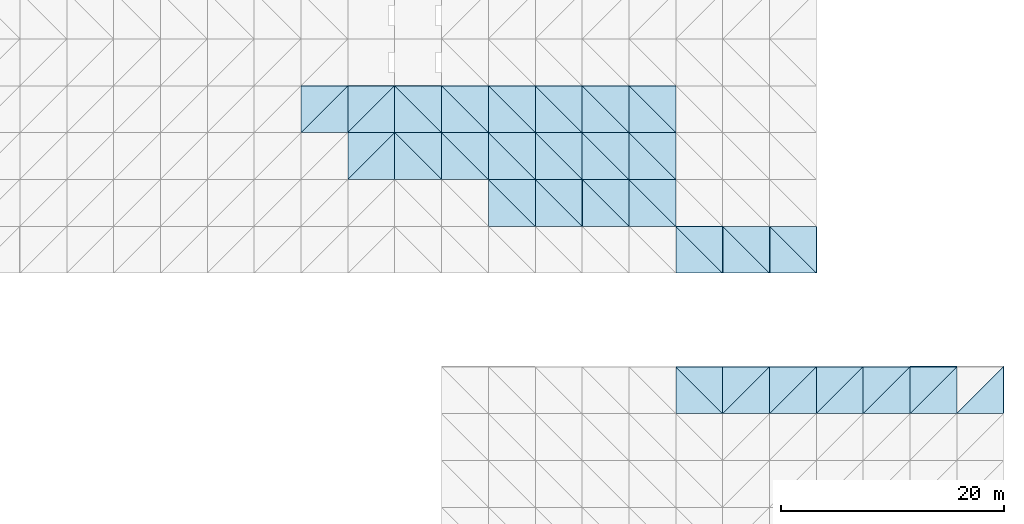
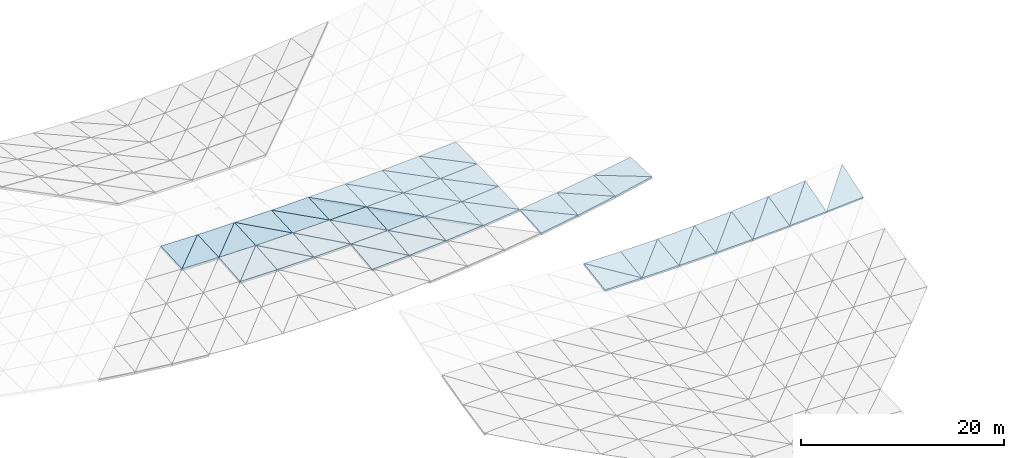
# One storey, part 26 of 64: 57 slabs.
"""IFC4 building model written with IfcOpenShell, lengths in metres."""

from ifc_helpers import new_model, si_unit, direction, frame, origin, place, context, subcontext, project, spatial, polyline, outline, extrude, material, layer, layer_set, type_object, element, save


model = new_model("IFC4")

# Units and contexts
model_context = context("Model", 3, precision=1e-05, world=origin(), true_north=direction((0.0, 1.0)))
body_context = subcontext(model_context, "Body", "Model", "MODEL_VIEW")
ifc_project = project(units=[si_unit("LENGTHUNIT", "METRE"), si_unit("AREAUNIT", "SQUARE_METRE"), si_unit("VOLUMEUNIT", "CUBIC_METRE"), si_unit("PLANEANGLEUNIT", "RADIAN"), si_unit("MASSUNIT", "GRAM", prefix="KILO")], contexts=[model_context])

# Site, building, storey
site_placement = place(None, origin())
site = spatial("IfcSite", under=ifc_project, at=site_placement, CompositionType="ELEMENT")
building_placement = place(site_placement, origin())
building = spatial("IfcBuilding", under=site, at=building_placement, Name="Cumbredor Promenade Congress Hotel", CompositionType="ELEMENT")
storey_placement = place(building_placement, frame((0.0, 0.0, 18.47998046875)))
storey = spatial("IfcBuildingStorey", under=building, at=storey_placement, Name="L05", CompositionType="ELEMENT", Elevation=18.47998046875)

# Slabs
ifc_material = material(Name="Concrete C40/50", Category="concrete")
ifc_layer = layer(ifc_material, 0.25, Name="Concrete C40/50", Category="concrete")
ifc_layer_set = layer_set([ifc_layer], Name="Concrete C40/50")
slab_type = type_object("IfcSlabType", Name="Catenary Space Frame Roof Deck 250mm", PredefinedType="ROOF", material=ifc_layer_set)
slab_1_placement = place(storey_placement, frame((159.60009765625, 67.199951171875, 2.425048828125), z_axis=(0.005918458152, -0.151121795525, 0.98849743286), x_axis=(0.999982076435, 0.0, -0.005987220477)))
element("IfcSlab", 1, at=slab_1_placement, inside=storey, type_object=slab_type, Name="Grand Ballroom Pavilion Sweeping Roof Deck Facet 6.17.1", PredefinedType="ROOF", context=body_context, shape_type="SweptSolid", body=[
    extrude(outline(polyline([(0.0, 0.0), (4.200026451322731, 0.0), (-0.0038443334608334553, 4.248747395960524), (0.0, 0.0)])), origin(), (0.0, 0.0, -1.0), 0.25),
])
slab_2_placement = place(storey_placement, frame((163.800048828125, 67.199951171875, 2.39990234375), z_axis=(0.01109796617, -0.146056135088, 0.989214051937), x_axis=(0.0, 0.989274975767, 0.14606513041)))
element("IfcSlab", 2, at=slab_2_placement, inside=storey, type_object=slab_type, Name="Grand Ballroom Pavilion Sweeping Roof Deck Facet 6.17.2", PredefinedType="ROOF", context=body_context, shape_type="SweptSolid", body=[
    extrude(outline(polyline([(0.0, 0.0), (4.245484091639857, 0.0), (4.252366555060066, 4.200209838953847), (0.0, 0.0)])), origin(), (0.0, 0.0, -1.0), 0.25),
])
slab_3_placement = place(storey_placement, frame((163.800048828125, 67.199951171875, 2.39990234375), z_axis=(-0.005918458152, -0.151121795525, 0.98849743286), x_axis=(0.999982076435, 0.0, 0.005987220477)))
element("IfcSlab", 3, at=slab_3_placement, inside=storey, type_object=slab_type, Name="Grand Ballroom Pavilion Sweeping Roof Deck Facet 7.17.1", PredefinedType="ROOF", context=body_context, shape_type="SweptSolid", body=[
    extrude(outline(polyline([(0.0, 0.0), (4.200026451322731, 0.0), (4.203870784783564, 4.248747395960524), (0.0, 0.0)])), origin(), (0.0, 0.0, -1.0), 0.25),
])
slab_4_placement = place(storey_placement, frame((163.800048828125, 67.199951171875, 2.39990234375), z_axis=(-0.01109796617, -0.146056135088, 0.989214051937), x_axis=(0.70268691564, 0.70268691564, 0.111634211501)))
element("IfcSlab", 4, at=slab_4_placement, inside=storey, type_object=slab_type, Name="Grand Ballroom Pavilion Sweeping Roof Deck Facet 7.17.2", PredefinedType="ROOF", context=body_context, shape_type="SweptSolid", body=[
    extrude(outline(polyline([(0.0, 0.0), (5.976987870979672, 2.636779683484747e-16), (3.0204770280669506, 2.983429854259513), (0.0, 0.0)])), origin(), (0.0, 0.0, -1.0), 0.25),
])
slab_5_placement = place(storey_placement, frame((168.0, 67.199951171875, 2.425048828125), z_axis=(-0.017651502768, -0.166371144595, 0.985905201678), x_axis=(0.999839764528, 0.0, 0.017900985146)))
element("IfcSlab", 5, at=slab_5_placement, inside=storey, type_object=slab_type, Name="Grand Ballroom Pavilion Sweeping Roof Deck Facet 8.17.1", PredefinedType="ROOF", context=body_context, shape_type="SweptSolid", body=[
    extrude(outline(polyline([(0.0, 0.0), (4.200624260887441, 0.0), (4.213311409295685, 4.259312339124872), (0.0, 0.0)])), origin(), (0.0, 0.0, -1.0), 0.25),
])
slab_6_placement = place(storey_placement, frame((168.0, 67.199951171875, 2.425048828125), z_axis=(-0.033366695852, -0.151040292754, 0.987964317965), x_axis=(0.701027278305, 0.701027278305, 0.130849188551)))
element("IfcSlab", 6, at=slab_6_placement, inside=storey, type_object=slab_type, Name="Grand Ballroom Pavilion Sweeping Roof Deck Facet 8.17.2", PredefinedType="ROOF", context=body_context, shape_type="SweptSolid", body=[
    extrude(outline(polyline([(0.0, 0.0), (5.99113800825207, 5.134781488891349e-16), (3.028297274065045, 2.980148458293866), (0.0, 0.0)])), origin(), (0.0, 0.0, -1.0), 0.25),
])
slab_7_placement = place(storey_placement, frame((172.199951171875, 67.199951171875, 2.500244140625), z_axis=(-0.029313092974, -0.191390544791, 0.981076144825), x_axis=(0.99955393597, 0.0, 0.029865181834)))
element("IfcSlab", 7, at=slab_7_placement, inside=storey, type_object=slab_type, Name="Grand Ballroom Pavilion Sweeping Roof Deck Facet 9.17.1", PredefinedType="ROOF", context=body_context, shape_type="SweptSolid", body=[
    extrude(outline(polyline([(0.0, 0.0), (4.201825455068936, 0.0), (4.226295071825433, 4.279053921425739), (0.0, 0.0)])), origin(), (0.0, 0.0, -1.0), 0.25),
])
slab_8_placement = place(storey_placement, frame((172.199951171875, 67.199951171875, 2.500244140625), z_axis=(-0.055342530466, -0.166142053717, 0.984547623179), x_axis=(0.698326858274, 0.698326858274, 0.157096142622)))
element("IfcSlab", 8, at=slab_8_placement, inside=storey, type_object=slab_type, Name="Grand Ballroom Pavilion Sweeping Roof Deck Facet 9.17.2", PredefinedType="ROOF", context=body_context, shape_type="SweptSolid", body=[
    extrude(outline(polyline([(0.0, 0.0), (6.014305653739666, 6.938893903907228e-17), (3.044279063700337, 2.978970887449542), (0.0, 0.0)])), origin(), (0.0, 0.0, -1.0), 0.25),
])
slab_9_placement = place(storey_placement, frame((176.39990234375, 67.199951171875, 2.625732421875), z_axis=(-0.040677695576, -0.225805452077, 0.973322774261), x_axis=(0.999127831372, 0.0, 0.04175615617)))
element("IfcSlab", 9, at=slab_9_placement, inside=storey, type_object=slab_type, Name="Grand Ballroom Pavilion Sweeping Roof Deck Facet 10.17.1", PredefinedType="ROOF", context=body_context, shape_type="SweptSolid", body=[
    extrude(outline(polyline([(0.0, 0.0), (4.203861788869219, 0.0), (4.244547535762836, 4.311301674215404), (0.0, 0.0)])), origin(), (0.0, 0.0, -1.0), 0.25),
])
slab_10_placement = place(storey_placement, frame((176.39990234375, 67.199951171875, 2.625732421875), z_axis=(-0.077017025441, -0.190904107855, 0.97858264822), x_axis=(0.694237619642, 0.694197266374, 0.19006389145)))
element("IfcSlab", 10, at=slab_10_placement, inside=storey, type_object=slab_type, Name="Grand Ballroom Pavilion Sweeping Roof Deck Facet 10.17.2", PredefinedType="ROOF", context=body_context, shape_type="SweptSolid", body=[
    extrude(outline(polyline([(0.0, 0.0), (6.050083132440652, -4.996003610813204e-16), (3.0713207991057825, 2.979578791304806), (0.0, 0.0)])), origin(), (0.0, 0.0, -1.0), 0.25),
])
slab_11_placement = place(storey_placement, frame((180.60009765625, 67.199951171875, 2.80126953125), z_axis=(-0.051660124766, -0.268811558307, 0.961806413801), x_axis=(0.998560647635, 0.0, 0.053634252073)))
element("IfcSlab", 11, at=slab_11_placement, inside=storey, type_object=slab_type, Name="Grand Ballroom Pavilion Sweeping Roof Deck Facet 11.17.1", PredefinedType="ROOF", context=body_context, shape_type="SweptSolid", body=[
    extrude(outline(polyline([(0.0, 0.0), (4.206005095257487, 6.938893903907228e-18), (4.268962488804291, 4.360447073382843), (0.0, 0.0)])), origin(), (0.0, 0.0, -1.0), 0.25),
])
slab_12_placement = place(storey_placement, frame((180.60009765625, 67.199951171875, 2.80126953125), z_axis=(-0.098109442037, -0.224902230425, 0.969429483837), x_axis=(0.688261938652, 0.688261938652, 0.229327293632)))
element("IfcSlab", 12, at=slab_12_placement, inside=storey, type_object=slab_type, Name="Grand Ballroom Pavilion Sweeping Roof Deck Facet 11.17.2", PredefinedType="ROOF", context=body_context, shape_type="SweptSolid", body=[
    extrude(outline(polyline([(0.0, 0.0), (6.102256911224823, -2.0816681711721685e-16), (3.11411507800897, 2.9818223852218324), (0.0, 0.0)])), origin(), (0.0, 0.0, -1.0), 0.25),
])
slab_13_placement = place(storey_placement, frame((184.800048828125, 67.199951171875, 3.02685546875), z_axis=(-0.06211809951, -0.31911112182, 0.945679350332), x_axis=(0.997849616578, 0.0, 0.065544966967)))
element("IfcSlab", 13, at=slab_13_placement, inside=storey, type_object=slab_type, Name="Grand Ballroom Pavilion Sweeping Roof Deck Facet 12.17.1", PredefinedType="ROOF", context=body_context, shape_type="SweptSolid", body=[
    extrude(outline(polyline([(0.0, 0.0), (4.20900214029975, -2.7755575615628914e-17), (4.301894848611143, 4.431649760600898), (0.0, 0.0)])), origin(), (0.0, 0.0, -1.0), 0.25),
])
slab_14_placement = place(storey_placement, frame((126.0, 92.39990234375, 1.427734375), z_axis=(0.019911879896, -0.047541929228, 0.998670757559), x_axis=(0.999801289689, 0.0, -0.019934420878)))
element("IfcSlab", 14, at=slab_14_placement, inside=storey, type_object=slab_type, Name="Pre-Function and Breakout Meeting Forum Sweeping Roof Deck Facet 10.4.1", PredefinedType="ROOF", context=body_context, shape_type="SweptSolid", body=[
    extrude(outline(polyline([(0.0, 0.0), (4.200785911348895, 8.673617379884035e-19), (4.196800000533699, 4.2049500885023745), (0.0, 0.0)])), origin(), (0.0, 0.0, -1.0), 0.25),
])
slab_15_placement = place(storey_placement, frame((126.0, 92.39990234375, 1.427734375), z_axis=(0.023157477026, -0.050780988978, 0.99844129643), x_axis=(0.706950938919, 0.70699203355, 0.019561044407)))
element("IfcSlab", 15, at=slab_15_placement, inside=storey, type_object=slab_type, Name="Pre-Function and Breakout Meeting Forum Sweeping Roof Deck Facet 10.4.2", PredefinedType="ROOF", context=body_context, shape_type="SweptSolid", body=[
    extrude(outline(polyline([(0.0, 0.0), (5.940937256971814, -7.199102425303749e-16), (2.973683315198112, 2.9739675536588317), (0.0, 0.0)])), origin(), (0.0, 0.0, -1.0), 0.25),
])
slab_16_placement = place(storey_placement, frame((130.199951171875, 88.199951171875, 0.969970703125), z_axis=(0.008046875416, -0.090078691709, 0.995902142329), x_axis=(0.999967358511, 0.0, -0.008079722306)))
element("IfcSlab", 16, at=slab_16_placement, inside=storey, type_object=slab_type, Name="Pre-Function and Breakout Meeting Forum Sweeping Roof Deck Facet 11.3.1", PredefinedType="ROOF", context=body_context, shape_type="SweptSolid", body=[
    extrude(outline(polyline([(0.0, 0.0), (4.200088269010057, 0.0), (4.197018921376171, 4.217095134861461), (0.0, 0.0)])), origin(), (0.0, 0.0, -1.0), 0.25),
])
slab_17_placement = place(storey_placement, frame((130.199951171875, 88.199951171875, 0.969970703125), z_axis=(0.006658381829, -0.088701225761, 0.996036022692), x_axis=(0.705910445422, 0.705910445422, 0.0581453875)))
element("IfcSlab", 17, at=slab_17_placement, inside=storey, type_object=slab_type, Name="Pre-Function and Breakout Meeting Forum Sweeping Roof Deck Facet 11.3.2", PredefinedType="ROOF", context=body_context, shape_type="SweptSolid", body=[
    extrude(outline(polyline([(0.0, 0.0), (5.949694042794284, 7.632783294297951e-17), (2.9865371401975054, 2.9765885318858585), (0.0, 0.0)])), origin(), (0.0, 0.0, -1.0), 0.25),
])
slab_18_placement = place(storey_placement, frame((130.199951171875, 92.39990234375, 1.343994140625), z_axis=(0.006674902151, -0.054208662878, 0.998507319227), x_axis=(0.999977656935, 0.0, -0.006684731183)))
element("IfcSlab", 18, at=slab_18_placement, inside=storey, type_object=slab_type, Name="Pre-Function and Breakout Meeting Forum Sweeping Roof Deck Facet 11.4.1", PredefinedType="ROOF", context=body_context, shape_type="SweptSolid", body=[
    extrude(outline(polyline([(0.0, 0.0), (4.2000450137541785, 2.168404344971009e-19), (4.198520712258752, 4.20638025018538), (0.0, 0.0)])), origin(), (0.0, 0.0, -1.0), 0.25),
])
slab_19_placement = place(storey_placement, frame((130.199951171875, 92.39990234375, 1.343994140625), z_axis=(0.0, -0.047551356814, 0.99886879442), x_axis=(0.706685936955, 0.706727016181, 0.033643886669)))
element("IfcSlab", 19, at=slab_19_placement, inside=storey, type_object=slab_type, Name="Pre-Function and Breakout Meeting Forum Sweeping Roof Deck Facet 11.4.2", PredefinedType="ROOF", context=body_context, shape_type="SweptSolid", body=[
    extrude(outline(polyline([(0.0, 0.0), (5.9431650642074, -9.454242944073599e-17), (2.975118635147523, 2.971580428169344), (0.0, 0.0)])), origin(), (0.0, 0.0, -1.0), 0.25),
])
slab_20_placement = place(storey_placement, frame((134.39990234375, 88.199951171875, 0.93603515625), z_axis=(-0.008046407714, -0.090078692048, 0.995902146078), x_axis=(0.999967362305, 0.0, 0.008079252695)))
element("IfcSlab", 20, at=slab_20_placement, inside=storey, type_object=slab_type, Name="Pre-Function and Breakout Meeting Forum Sweeping Roof Deck Facet 12.3.1", PredefinedType="ROOF", context=body_context, shape_type="SweptSolid", body=[
    extrude(outline(polyline([(0.0, 0.0), (4.200332401666406, 0.0), (0.003069169236579016, 4.2170951349913), (0.0, 0.0)])), origin(), (0.0, 0.0, -1.0), 0.25),
])
slab_21_placement = place(storey_placement, frame((138.60009765625, 88.199951171875, 0.969970703125), z_axis=(-0.006657994821, -0.088701225989, 0.996036025259), x_axis=(0.0, 0.996058102581, 0.088703192068)))
element("IfcSlab", 21, at=slab_21_placement, inside=storey, type_object=slab_type, Name="Pre-Function and Breakout Meeting Forum Sweeping Roof Deck Facet 12.3.2", PredefinedType="ROOF", context=body_context, shape_type="SweptSolid", body=[
    extrude(outline(polyline([(0.0, 0.0), (4.216572468004493, 0.0), (4.214082021938117, 4.2002884106037905), (0.0, 0.0)])), origin(), (0.0, 0.0, -1.0), 0.25),
])
slab_22_placement = place(storey_placement, frame((134.39990234375, 92.39990234375, 1.31591796875), z_axis=(-0.006674514183, -0.054208663019, 0.998507321813), x_axis=(0.999977659532, 0.0, 0.006684342644)))
element("IfcSlab", 22, at=slab_22_placement, inside=storey, type_object=slab_type, Name="Pre-Function and Breakout Meeting Forum Sweeping Roof Deck Facet 12.4.1", PredefinedType="ROOF", context=body_context, shape_type="SweptSolid", body=[
    extrude(outline(polyline([(0.0, 0.0), (4.2002891489246466, 0.0), (0.0015242128978105653, 4.206380250217484), (0.0, 0.0)])), origin(), (0.0, 0.0, -1.0), 0.25),
])
slab_23_placement = place(storey_placement, frame((138.60009765625, 92.39990234375, 1.343994140625), z_axis=(0.0, -0.047551356814, 0.99886879442), x_axis=(0.0, 0.99886879442, 0.047551356814)))
element("IfcSlab", 23, at=slab_23_placement, inside=storey, type_object=slab_type, Name="Pre-Function and Breakout Meeting Forum Sweeping Roof Deck Facet 12.4.2", PredefinedType="ROOF", context=body_context, shape_type="SweptSolid", body=[
    extrude(outline(polyline([(0.0, 0.0), (4.204951977642689, 0.0), (4.204951977642689, 4.2001953125), (0.0, 0.0)])), origin(), (0.0, 0.0, -1.0), 0.25),
])
slab_24_placement = place(storey_placement, frame((138.60009765625, 88.199951171875, 0.969970703125), z_axis=(-0.02407952249, -0.088677472246, 0.99576929181), x_axis=(0.999707747746, 0.0, 0.024174761557)))
element("IfcSlab", 24, at=slab_24_placement, inside=storey, type_object=slab_type, Name="Pre-Function and Breakout Meeting Forum Sweeping Roof Deck Facet 13.3.1", PredefinedType="ROOF", context=body_context, shape_type="SweptSolid", body=[
    extrude(outline(polyline([(0.0, 0.0), (4.2011789758995555, 1.734723475976807e-18), (0.009041927418233838, 4.216562773335891), (0.0, 0.0)])), origin(), (0.0, 0.0, -1.0), 0.25),
])
slab_25_placement = place(storey_placement, frame((142.800048828125, 88.199951171875, 1.071533203125), z_axis=(-0.019863140669, -0.084490735382, 0.996226265101), x_axis=(0.0, 0.996422851, 0.084507407988)))
element("IfcSlab", 25, at=slab_25_placement, inside=storey, type_object=slab_type, Name="Pre-Function and Breakout Meeting Forum Sweeping Roof Deck Facet 13.3.2", PredefinedType="ROOF", context=body_context, shape_type="SweptSolid", body=[
    extrude(outline(polyline([(0.0, 0.0), (4.215028958498306, 0.0), (4.207952288347007, 4.200779950643325), (0.0, 0.0)])), origin(), (0.0, 0.0, -1.0), 0.25),
])
slab_26_placement = place(storey_placement, frame((138.60009765625, 92.39990234375, 1.343994140625), z_axis=(-0.019911879896, -0.047541929228, 0.998670757559), x_axis=(0.999801289689, 0.0, 0.019934420878)))
element("IfcSlab", 26, at=slab_26_placement, inside=storey, type_object=slab_type, Name="Pre-Function and Breakout Meeting Forum Sweeping Roof Deck Facet 13.4.1", PredefinedType="ROOF", context=body_context, shape_type="SweptSolid", body=[
    extrude(outline(polyline([(0.0, 0.0), (4.200785911348895, -8.673617379884035e-19), (0.003985910815195968, 4.204950088502375), (0.0, 0.0)])), origin(), (0.0, 0.0, -1.0), 0.25),
])
slab_27_placement = place(storey_placement, frame((142.800048828125, 92.39990234375, 1.427734375), z_axis=(-0.023157477026, -0.050780988978, 0.99844129643), x_axis=(0.0, 0.998709120583, 0.050794610585)))
element("IfcSlab", 27, at=slab_27_placement, inside=storey, type_object=slab_type, Name="Pre-Function and Breakout Meeting Forum Sweeping Roof Deck Facet 13.4.2", PredefinedType="ROOF", context=body_context, shape_type="SweptSolid", body=[
    extrude(outline(polyline([(0.0, 0.0), (4.205624266301394, 0.0), (4.200676256139395, 4.201077776283428), (0.0, 0.0)])), origin(), (0.0, 0.0, -1.0), 0.25),
])
slab_28_placement = place(storey_placement, frame((142.800048828125, 84.0, 0.57275390625), z_axis=(-0.049811423352, -0.117783261468, 0.99178925454), x_axis=(0.998741166039, 0.0, 0.050160574752)))
element("IfcSlab", 28, at=slab_28_placement, inside=storey, type_object=slab_type, Name="Pre-Function and Breakout Meeting Forum Sweeping Roof Deck Facet 14.2.1", PredefinedType="ROOF", context=body_context, shape_type="SweptSolid", body=[
    extrude(outline(polyline([(0.0, 0.0), (4.205244876941228, 0.0), (0.02501905620561577, 4.229390580207967), (0.0, 0.0)])), origin(), (0.0, 0.0, -1.0), 0.25),
])
slab_29_placement = place(storey_placement, frame((147.0, 84.0, 0.78369140625), z_axis=(-0.040015186304, -0.108092970795, 0.993335137066), x_axis=(0.0, 0.994131365021, 0.108179614911)))
element("IfcSlab", 29, at=slab_29_placement, inside=storey, type_object=slab_type, Name="Pre-Function and Breakout Meeting Forum Sweeping Roof Deck Facet 14.2.2", PredefinedType="ROOF", context=body_context, shape_type="SweptSolid", body=[
    extrude(outline(polyline([(0.0, 0.0), (4.224744656143227, 0.0), (4.206441806257117, 4.203317728041621), (0.0, 0.0)])), origin(), (0.0, 0.0, -1.0), 0.25),
])
slab_30_placement = place(storey_placement, frame((142.800048828125, 88.199951171875, 1.071533203125), z_axis=(-0.04010727364, -0.084439411603, 0.995621108841), x_axis=(0.999189599097, 0.0, 0.040251025529)))
element("IfcSlab", 30, at=slab_30_placement, inside=storey, type_object=slab_type, Name="Pre-Function and Breakout Meeting Forum Sweeping Roof Deck Facet 14.3.1", PredefinedType="ROOF", context=body_context, shape_type="SweptSolid", body=[
    extrude(outline(polyline([(0.0, 0.0), (4.203357576650233, 1.734723475976807e-18), (0.01433746246257796, 4.215004573917974), (0.0, 0.0)])), origin(), (0.0, 0.0, -1.0), 0.25),
])
slab_31_placement = place(storey_placement, frame((147.0, 88.199951171875, 1.24072265625), z_axis=(-0.033073988966, -0.077442947893, 0.996448042336), x_axis=(0.0, 0.996993491522, 0.07748533966)))
element("IfcSlab", 31, at=slab_31_placement, inside=storey, type_object=slab_type, Name="Pre-Function and Breakout Meeting Forum Sweeping Roof Deck Facet 14.3.2", PredefinedType="ROOF", context=body_context, shape_type="SweptSolid", body=[
    extrude(outline(polyline([(0.0, 0.0), (4.21261643891189, -1.734723475976807e-18), (4.2018146496185125, 4.202250197866551), (0.0, 0.0)])), origin(), (0.0, 0.0, -1.0), 0.25),
])
slab_32_placement = place(storey_placement, frame((142.800048828125, 92.39990234375, 1.427734375), z_axis=(-0.033130840356, -0.050766725513, 0.998160852267), x_axis=(0.999449604118, 0.0, 0.033173616459)))
element("IfcSlab", 32, at=slab_32_placement, inside=storey, type_object=slab_type, Name="Pre-Function and Breakout Meeting Forum Sweeping Roof Deck Facet 14.4.1", PredefinedType="ROOF", context=body_context, shape_type="SweptSolid", body=[
    extrude(outline(polyline([(0.0, 0.0), (4.202264080721415, -8.673617379884035e-19), (0.007086649023921441, 4.205618295650326), (0.0, 0.0)])), origin(), (0.0, 0.0, -1.0), 0.25),
])
slab_33_placement = place(storey_placement, frame((147.0, 92.39990234375, 1.567138671875), z_axis=(-0.028904953175, -0.046547038117, 0.998497810175), x_axis=(0.0, 0.998915192356, 0.046566495249)))
element("IfcSlab", 33, at=slab_33_placement, inside=storey, type_object=slab_type, Name="Pre-Function and Breakout Meeting Forum Sweeping Roof Deck Facet 14.4.2", PredefinedType="ROOF", context=body_context, shape_type="SweptSolid", body=[
    extrude(outline(polyline([(0.0, 0.0), (4.204756664669798, 8.673617379884035e-19), (4.199095015589189, 4.201706793933479), (0.0, 0.0)])), origin(), (0.0, 0.0, -1.0), 0.25),
])
slab_34_placement = place(storey_placement, frame((147.0, 84.0, 0.78369140625), z_axis=(-0.069696106028, -0.107916551269, 0.991713905704), x_axis=(0.997539580824, 0.0, 0.070105525386)))
element("IfcSlab", 34, at=slab_34_placement, inside=storey, type_object=slab_type, Name="Pre-Function and Breakout Meeting Forum Sweeping Roof Deck Facet 15.2.1", PredefinedType="ROOF", context=body_context, shape_type="SweptSolid", body=[
    extrude(outline(polyline([(0.0, 0.0), (4.210310300074583, 0.0), (0.03204041589909029, 4.22462315731945), (0.0, 0.0)])), origin(), (0.0, 0.0, -1.0), 0.25),
])
slab_35_placement = place(storey_placement, frame((151.199951171875, 84.0, 1.078857421875), z_axis=(-0.056044951003, -0.094351963906, 0.993960094961), x_axis=(0.0, 0.995524814543, 0.094500495387)))
element("IfcSlab", 35, at=slab_35_placement, inside=storey, type_object=slab_type, Name="Pre-Function and Breakout Meeting Forum Sweeping Roof Deck Facet 15.2.2", PredefinedType="ROOF", context=body_context, shape_type="SweptSolid", body=[
    extrude(outline(polyline([(0.0, 0.0), (4.218831224012834, 3.469446951953614e-18), (4.196451956306348, 4.206562851637935), (0.0, 0.0)])), origin(), (0.0, 0.0, -1.0), 0.25),
])
slab_36_placement = place(storey_placement, frame((147.0, 88.199951171875, 1.24072265625), z_axis=(-0.05612737267, -0.077363193051, 0.995421847459), x_axis=(0.998414117425, 0.0, 0.05629609335)))
element("IfcSlab", 36, at=slab_36_placement, inside=storey, type_object=slab_type, Name="Pre-Function and Breakout Meeting Forum Sweeping Roof Deck Facet 15.3.1", PredefinedType="ROOF", context=body_context, shape_type="SweptSolid", body=[
    extrude(outline(polyline([(0.0, 0.0), (4.206622381008706, 0.0), (0.018375946486601544, 4.212576359661793), (0.0, 0.0)])), origin(), (0.0, 0.0, -1.0), 0.25),
])
slab_37_placement = place(storey_placement, frame((151.199951171875, 88.199951171875, 1.4775390625), z_axis=(-0.046347025276, -0.067608723121, 0.996634844768), x_axis=(0.0, 0.997706981448, 0.067681453662)))
element("IfcSlab", 37, at=slab_37_placement, inside=storey, type_object=slab_type, Name="Pre-Function and Breakout Meeting Forum Sweeping Roof Deck Facet 15.3.2", PredefinedType="ROOF", context=body_context, shape_type="SweptSolid", body=[
    extrude(outline(polyline([(0.0, 0.0), (4.209603871649053, 1.734723475976807e-18), (4.196384837730665, 4.204469297775011), (0.0, 0.0)])), origin(), (0.0, 0.0, -1.0), 0.25),
])
slab_38_placement = place(storey_placement, frame((147.0, 92.39990234375, 1.567138671875), z_axis=(-0.046403030175, -0.046516333784, 0.997839160126), x_axis=(0.998920462084, 0.0, 0.046453314519)))
element("IfcSlab", 38, at=slab_38_placement, inside=storey, type_object=slab_type, Name="Pre-Function and Breakout Meeting Forum Sweeping Roof Deck Facet 15.4.1", PredefinedType="ROOF", context=body_context, shape_type="SweptSolid", body=[
    extrude(outline(polyline([(0.0, 0.0), (4.204490078331787, 0.0), (0.00909559527443671, 4.204746827007744), (0.0, 0.0)])), origin(), (0.0, 0.0, -1.0), 0.25),
])
slab_39_placement = place(storey_placement, frame((151.199951171875, 92.39990234375, 1.762451171875), z_axis=(-0.040507499592, -0.04062120564, 0.998353174047), x_axis=(0.0, 0.999173261078, 0.040654573515)))
element("IfcSlab", 39, at=slab_39_placement, inside=storey, type_object=slab_type, Name="Pre-Function and Breakout Meeting Forum Sweeping Roof Deck Facet 15.4.2", PredefinedType="ROOF", context=body_context, shape_type="SweptSolid", body=[
    extrude(outline(polyline([(0.0, 0.0), (4.203670650644139, 0.0), (4.196742698419149, 4.203401178922291), (0.0, 0.0)])), origin(), (0.0, 0.0, -1.0), 0.25),
])
slab_40_placement = place(storey_placement, frame((151.199951171875, 84.0, 1.078857421875), z_axis=(-0.089624552929, -0.094120189668, 0.991518446328), x_axis=(0.995939579594, 0.0, 0.090024184518)))
element("IfcSlab", 40, at=slab_40_placement, inside=storey, type_object=slab_type, Name="Pre-Function and Breakout Meeting Forum Sweeping Roof Deck Facet 16.2.1", PredefinedType="ROOF", context=body_context, shape_type="SweptSolid", body=[
    extrude(outline(polyline([(0.0, 0.0), (4.21707426627955, -6.938893903907228e-18), (0.03589098957969069, 4.218678553003608), (0.0, 0.0)])), origin(), (0.0, 0.0, -1.0), 0.25),
])
slab_41_placement = place(storey_placement, frame((155.39990234375, 84.0, 1.45849609375), z_axis=(-0.072142465949, -0.076651370071, 0.994444584717), x_axis=(0.0, 0.997042541012, 0.076851619449)))
element("IfcSlab", 41, at=slab_41_placement, inside=storey, type_object=slab_type, Name="Pre-Function and Breakout Meeting Forum Sweeping Roof Deck Facet 16.2.2", PredefinedType="ROOF", context=body_context, shape_type="SweptSolid", body=[
    extrude(outline(polyline([(0.0, 0.0), (4.212409199321842, 0.0), (4.1889934715209565, 4.210923416838876), (0.0, 0.0)])), origin(), (0.0, 0.0, -1.0), 0.25),
])
slab_42_placement = place(storey_placement, frame((151.199951171875, 88.199951171875, 1.4775390625), z_axis=(-0.07219029204, -0.067504864432, 0.995103841322), x_axis=(0.997378917455, 0.0, 0.072355338545)))
element("IfcSlab", 42, at=slab_42_placement, inside=storey, type_object=slab_type, Name="Pre-Function and Breakout Meeting Forum Sweeping Roof Deck Facet 16.3.1", PredefinedType="ROOF", context=body_context, shape_type="SweptSolid", body=[
    extrude(outline(polyline([(0.0, 0.0), (4.210988520382172, -3.469446951953614e-18), (0.02061491212930613, 4.20955339455394), (0.0, 0.0)])), origin(), (0.0, 0.0, -1.0), 0.25),
])
slab_43_placement = place(storey_placement, frame((155.39990234375, 88.199951171875, 1.7822265625), z_axis=(-0.059560754984, -0.054867738297, 0.996715630338), x_axis=(0.0, 0.99848826417, 0.054965319198)))
element("IfcSlab", 43, at=slab_43_placement, inside=storey, type_object=slab_type, Name="Pre-Function and Breakout Meeting Forum Sweeping Roof Deck Facet 16.3.2", PredefinedType="ROOF", context=body_context, shape_type="SweptSolid", body=[
    extrude(outline(polyline([(0.0, 0.0), (4.2063100014157975, 0.0), (4.1925149945466815, 4.20742068004187), (0.0, 0.0)])), origin(), (0.0, 0.0, -1.0), 0.25),
])
slab_44_placement = place(storey_placement, frame((151.199951171875, 92.39990234375, 1.762451171875), z_axis=(-0.059601470586, -0.040582299935, 0.997396982969), x_axis=(0.998219316899, 0.0, 0.05965061081)))
element("IfcSlab", 44, at=slab_44_placement, inside=storey, type_object=slab_type, Name="Pre-Function and Breakout Meeting Forum Sweeping Roof Deck Facet 16.4.1", PredefinedType="ROOF", context=body_context, shape_type="SweptSolid", body=[
    extrude(outline(polyline([(0.0, 0.0), (4.207443295049679, 0.0), (0.010194196183424655, 4.20365828980557), (0.0, 0.0)])), origin(), (0.0, 0.0, -1.0), 0.25),
])
slab_45_placement = place(storey_placement, frame((155.39990234375, 92.39990234375, 2.013427734375), z_axis=(-0.052042951455, -0.03301083403, 0.998099101312), x_axis=(0.0, 0.999453513357, 0.033055629452)))
element("IfcSlab", 45, at=slab_45_placement, inside=storey, type_object=slab_type, Name="Pre-Function and Breakout Meeting Forum Sweeping Roof Deck Facet 16.4.2", PredefinedType="ROOF", context=body_context, shape_type="SweptSolid", body=[
    extrude(outline(polyline([(0.0, 0.0), (4.202491918200926, 0.0), (4.195252929036167, 4.205650470117333), (0.0, 0.0)])), origin(), (0.0, 0.0, -1.0), 0.25),
])
slab_46_placement = place(storey_placement, frame((155.39990234375, 84.0, 1.45849609375), z_axis=(-0.109508188001, -0.076389425636, 0.991046221128), x_axis=(0.993950485848, 0.0, 0.109829102162)))
element("IfcSlab", 46, at=slab_46_placement, inside=storey, type_object=slab_type, Name="Pre-Function and Breakout Meeting Forum Sweeping Roof Deck Facet 17.2.1", PredefinedType="ROOF", context=body_context, shape_type="SweptSolid", body=[
    extrude(outline(polyline([(0.0, 0.0), (4.225759101988769, 6.938893903907228e-18), (0.03555502672534754, 4.2122591447590025), (0.0, 0.0)])), origin(), (0.0, 0.0, -1.0), 0.25),
])
slab_47_placement = place(storey_placement, frame((159.60009765625, 84.0, 1.922607421875), z_axis=(-0.088162684638, -0.054924209185, 0.99459070591), x_axis=(0.0, 0.998478692828, 0.0551389152)))
element("IfcSlab", 47, at=slab_47_placement, inside=storey, type_object=slab_type, Name="Pre-Function and Breakout Meeting Forum Sweeping Roof Deck Facet 17.2.2", PredefinedType="ROOF", context=body_context, shape_type="SweptSolid", body=[
    extrude(outline(polyline([(0.0, 0.0), (4.206350322791003, -3.469446951953614e-18), (4.185821307732398, 4.216614432775834), (0.0, 0.0)])), origin(), (0.0, 0.0, -1.0), 0.25),
])
slab_48_placement = place(storey_placement, frame((155.39990234375, 88.199951171875, 1.7822265625), z_axis=(-0.08816352319, -0.054751285072, 0.994600165877), x_axis=(0.996094283967, 0.0, 0.088295965069)))
element("IfcSlab", 48, at=slab_48_placement, inside=storey, type_object=slab_type, Name="Pre-Function and Breakout Meeting Forum Sweeping Roof Deck Facet 17.3.1", PredefinedType="ROOF", context=body_context, shape_type="SweptSolid", body=[
    extrude(outline(polyline([(0.0, 0.0), (4.216664406275741, 0.0), (0.02041413059582972, 4.206260464032462), (0.0, 0.0)])), origin(), (0.0, 0.0, -1.0), 0.25),
])
slab_49_placement = place(storey_placement, frame((159.60009765625, 88.199951171875, 2.154541015625), z_axis=(-0.072813763069, -0.03933446227, 0.996569594151), x_axis=(0.0, 0.999221974009, 0.039439151331)))
element("IfcSlab", 49, at=slab_49_placement, inside=storey, type_object=slab_type, Name="Pre-Function and Breakout Meeting Forum Sweeping Roof Deck Facet 17.3.2", PredefinedType="ROOF", context=body_context, shape_type="SweptSolid", body=[
    extrude(outline(polyline([(0.0, 0.0), (4.203221387360661, 0.0), (4.191118112647912, 4.211374173979429), (0.0, 0.0)])), origin(), (0.0, 0.0, -1.0), 0.25),
])
slab_50_placement = place(storey_placement, frame((155.39990234375, 92.39990234375, 2.013427734375), z_axis=(-0.072830545962, -0.032967844592, 0.99679929414), x_axis=(0.997341436111, 0.0, 0.072870157242)))
element("IfcSlab", 50, at=slab_50_placement, inside=storey, type_object=slab_type, Name="Pre-Function and Breakout Meeting Forum Sweeping Roof Deck Facet 17.4.1", PredefinedType="ROOF", context=body_context, shape_type="SweptSolid", body=[
    extrude(outline(polyline([(0.0, 0.0), (4.211391566040812, -1.734723475976807e-18), (0.010122831902025002, 4.202479726401828), (0.0, 0.0)])), origin(), (0.0, 0.0, -1.0), 0.25),
])
slab_51_placement = place(storey_placement, frame((159.60009765625, 92.39990234375, 2.3203125), z_axis=(-0.063559433536, -0.023660811025, 0.997697531535), x_axis=(0.0, 0.999718908109, 0.023708748809)))
element("IfcSlab", 51, at=slab_51_placement, inside=storey, type_object=slab_type, Name="Pre-Function and Breakout Meeting Forum Sweeping Roof Deck Facet 17.4.2", PredefinedType="ROOF", context=body_context, shape_type="SweptSolid", body=[
    extrude(outline(polyline([(0.0, 0.0), (4.201376285306383, -8.673617379884035e-19), (4.1950323427540015, 4.208705082387977), (0.0, 0.0)])), origin(), (0.0, 0.0, -1.0), 0.25),
])
slab_52_placement = place(storey_placement, frame((159.60009765625, 79.800048828125, 1.6240234375), z_axis=(-0.161202032939, -0.069985831127, 0.984436838003), x_axis=(0.986856624724, 0.0, 0.161598274246)))
element("IfcSlab", 52, at=slab_52_placement, inside=storey, type_object=slab_type, Name="Pre-Function and Breakout Meeting Forum Sweeping Roof Deck Facet 18.1.1", PredefinedType="ROOF", context=body_context, shape_type="SweptSolid", body=[
    extrude(outline(polyline([(0.0, 0.0), (4.255887903727988, -6.938893903907228e-18), (0.04825065659236349, 4.210274826658925), (0.0, 0.0)])), origin(), (0.0, 0.0, -1.0), 0.25),
])
slab_53_placement = place(storey_placement, frame((163.800048828125, 79.800048828125, 2.311767578125), z_axis=(-0.129368602084, -0.037554910311, 0.990885156568), x_axis=(0.0, 0.999282553953, 0.037873174747)))
element("IfcSlab", 53, at=slab_53_placement, inside=storey, type_object=slab_type, Name="Pre-Function and Breakout Meeting Forum Sweeping Roof Deck Facet 18.1.2", PredefinedType="ROOF", context=body_context, shape_type="SweptSolid", body=[
    extrude(outline(polyline([(0.0, 0.0), (4.202966573629487, 3.469446951953614e-18), (4.1821992029062525, 4.2355442562545855), (0.0, 0.0)])), origin(), (0.0, 0.0, -1.0), 0.25),
])
slab_54_placement = place(storey_placement, frame((163.800048828125, 79.800048828125, 2.311767578125), z_axis=(-0.185508201988, -0.037215799291, 0.981937722709), x_axis=(0.982618429472, 0.0, 0.185636801476)))
element("IfcSlab", 54, at=slab_54_placement, inside=storey, type_object=slab_type, Name="Pre-Function and Breakout Meeting Forum Sweeping Roof Deck Facet 19.1.1", PredefinedType="ROOF", context=body_context, shape_type="SweptSolid", body=[
    extrude(outline(polyline([(0.0, 0.0), (4.274244249756237, 0.0), (0.029549608047377236, 4.202862695795693), (0.0, 0.0)])), origin(), (0.0, 0.0, -1.0), 0.25),
])
slab_55_placement = place(storey_placement, frame((168.0, 79.800048828125, 3.105224609375), z_axis=(-0.148933495384, 0.000402367606, 0.988847132803), x_axis=(0.0, 0.999999917214, -0.000406905739)))
element("IfcSlab", 55, at=slab_55_placement, inside=storey, type_object=slab_type, Name="Pre-Function and Breakout Meeting Forum Sweeping Roof Deck Facet 19.1.2", PredefinedType="ROOF", context=body_context, shape_type="SweptSolid", body=[
    extrude(outline(polyline([(0.0, 0.0), (4.199951519572789, -5.421010862427522e-20), (4.200208915268252, 4.2473206270735), (0.0, 0.0)])), origin(), (0.0, 0.0, -1.0), 0.25),
])
slab_56_placement = place(storey_placement, frame((168.0, 79.800048828125, 3.105224609375), z_axis=(-0.209346621689, 0.000397889316, 0.9778414154), x_axis=(0.977841492804, 0.0, 0.209346638261)))
element("IfcSlab", 56, at=slab_56_placement, inside=storey, type_object=slab_type, Name="Pre-Function and Breakout Meeting Forum Sweeping Roof Deck Facet 20.1.1", PredefinedType="ROOF", context=body_context, shape_type="SweptSolid", body=[
    extrude(outline(polyline([(0.0, 0.0), (4.295124723979372, 0.0), (-0.00035777013374611513, 4.199951504334581), (0.0, 0.0)])), origin(), (0.0, 0.0, -1.0), 0.25),
])
slab_57_placement = place(storey_placement, frame((172.199951171875, 79.800048828125, 4.00439453125), z_axis=(-0.168190640377, 0.043049476366, 0.98481401852), x_axis=(0.0, 0.99904594053, -0.043671600725)))
element("IfcSlab", 57, at=slab_57_placement, inside=storey, type_object=slab_type, Name="Pre-Function and Breakout Meeting Forum Sweeping Roof Deck Facet 20.1.2", PredefinedType="ROOF", context=body_context, shape_type="SweptSolid", body=[
    extrude(outline(polyline([(0.0, 0.0), (4.203962001632894, 0.0), (4.235286992582889, 4.260646263943154), (0.0, 0.0)])), origin(), (0.0, 0.0, -1.0), 0.25),
])

save(model, "model.ifc")
